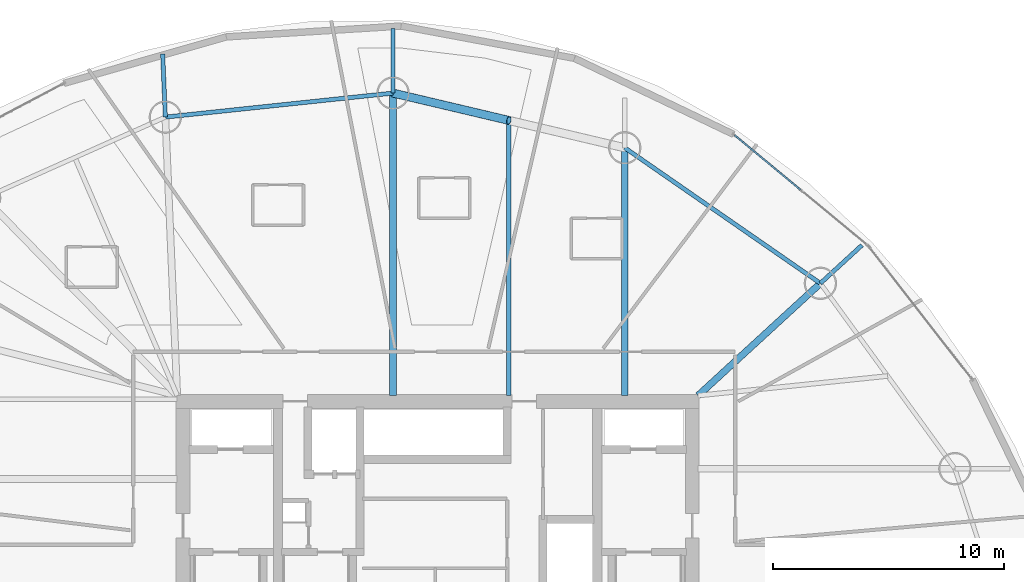
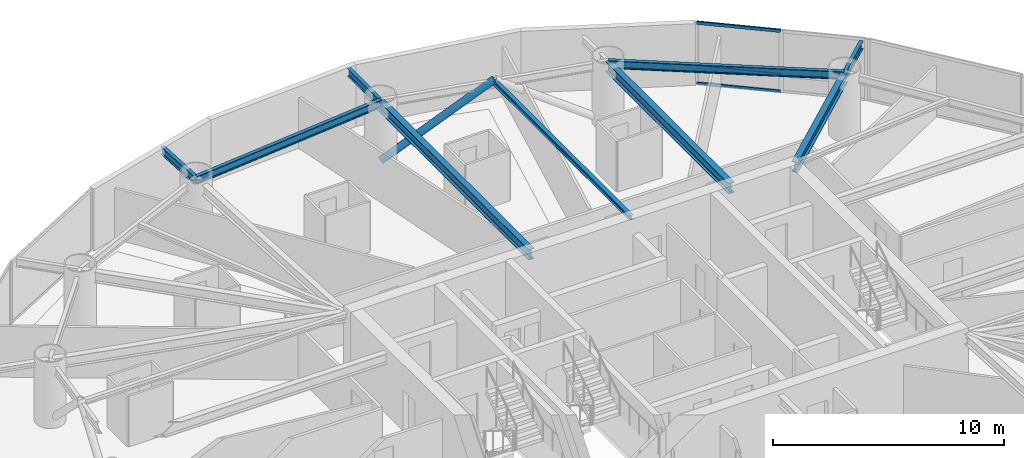
# One storey, part 10 of 20: 9 beams, 4 members, 1 element without a shape of its own.
"""IFC4 building model written with IfcOpenShell, lengths in metres."""

import ifcopenshell
import ifcopenshell.guid

model = None  # the IFC model being written
_history = None  # IfcOwnerHistory: only IFC2X3 demands one
_inside = {}  # id of a spatial element -> (the spatial element, [elements in it])
_under = {}  # id of a project, library or spatial element -> (it, [spatial elements below it])
_declared = {}  # id of a project -> (the project, [libraries it declares])
_typed = {}  # id of a type object -> (the type object, [elements of that type])
_made_of = {}  # id of a material, layer set ... -> (it, [elements and type objects made of it])


def new_model(schema):
    """Start an empty IFC model of exactly this schema.

    Asked for "IFC4X3", IfcOpenShell would pick the latest addendum, in which some entities
    have other attributes; the version numbers below select the first issue.
    IFC2X3 requires an IfcOwnerHistory on every rooted entity: one is made here for all.
    """
    global model, _history
    if schema == "IFC4X3":
        model = ifcopenshell.file(schema_version=(4, 3, 0, 0))
    else:
        model = ifcopenshell.file(schema=schema)
    _inside.clear()
    _under.clear()
    _declared.clear()
    _typed.clear()
    _made_of.clear()
    _history = None
    if model.schema == "IFC2X3":
        org = make("IfcOrganization", Name="unknown")
        user = make(
            "IfcPersonAndOrganization",
            ThePerson=make("IfcPerson", FamilyName="unknown"),
            TheOrganization=org,
        )
        app = make(
            "IfcApplication",
            ApplicationDeveloper=org,
            Version="unknown",
            ApplicationFullName="unknown",
            ApplicationIdentifier="unknown",
        )
        _history = make(
            "IfcOwnerHistory",
            OwningUser=user,
            OwningApplication=app,
            ChangeAction="ADDED",
            CreationDate=0,
        )
    return model


def make(cls, **values):
    """One entity of the class cls with the attributes given. An attribute that is None is left unset."""
    return model.create_entity(
        cls, **{name: value for name, value in values.items() if value is not None}
    )


def rooted(cls, **values):
    """An entity with a GlobalId (a new one), such as an element, a storey or a relation."""
    return make(cls, GlobalId=ifcopenshell.guid.new(), OwnerHistory=_history, **values)


def si_unit(unit_type, name, prefix=None):
    """IfcSIUnit, for example si_unit("LENGTHUNIT", "METRE", prefix="MILLI")."""
    return make("IfcSIUnit", UnitType=unit_type, Prefix=prefix, Name=name)


def assignment(units):
    """IfcUnitAssignment: the units of a project."""
    return None if units is None else make("IfcUnitAssignment", Units=units)


def point(xyz):
    """IfcCartesianPoint."""
    return None if xyz is None else make("IfcCartesianPoint", Coordinates=xyz)


def direction(xyz):
    """IfcDirection."""
    return None if xyz is None else make("IfcDirection", DirectionRatios=xyz)


def frame(location, z_axis=None, x_axis=None):
    """IfcAxis2Placement3D, a coordinate frame: its origin and axes. An axis left out is left unset."""
    return make(
        "IfcAxis2Placement3D",
        Location=point(location),
        Axis=direction(z_axis),
        RefDirection=direction(x_axis),
    )


def frame_2d(location, x_axis=None):
    """IfcAxis2Placement2D, a coordinate frame in the plane: its origin and x axis."""
    return make(
        "IfcAxis2Placement2D", Location=point(location), RefDirection=direction(x_axis)
    )


def origin():
    """The frame at (0, 0, 0) with its axes left unset."""
    return frame((0.0, 0.0, 0.0))


def origin_2d():
    """The frame at (0, 0) in the plane with its x axis left unset."""
    return frame_2d((0.0, 0.0))


def place(relative_to, where):
    """IfcLocalPlacement: puts the frame where relative to a parent placement (None: the world)."""
    return make(
        "IfcLocalPlacement", PlacementRelTo=relative_to, RelativePlacement=where
    )


def context(
    kind, dimensions, precision=None, world=None, true_north=None, identifier=None
):
    """IfcGeometricRepresentationContext, for example the 3D "Model" context."""
    return make(
        "IfcGeometricRepresentationContext",
        ContextIdentifier=identifier,
        ContextType=kind,
        CoordinateSpaceDimension=dimensions,
        Precision=precision,
        WorldCoordinateSystem=world,
        TrueNorth=true_north,
    )


def subcontext(parent, identifier, kind, view, scale=None):
    """IfcGeometricRepresentationSubContext, for example "Body" below "Model"."""
    return make(
        "IfcGeometricRepresentationSubContext",
        ContextIdentifier=identifier,
        ContextType=kind,
        ParentContext=parent,
        TargetScale=scale,
        TargetView=view,
    )


def project(units=None, contexts=None):
    """IfcProject with its units and contexts."""
    return rooted(
        "IfcProject",
        Name="project",
        RepresentationContexts=contexts,
        UnitsInContext=assignment(units),
    )


def spatial(cls, under=None, at=None, **own):
    """A site, building, storey or space (cls), placed at a placement, below another one or the project."""
    s = rooted(cls, ObjectPlacement=at, **own)
    if under is not None:
        _under.setdefault(under.id(), (under, []))[1].append(s)
    return s


def profile(cls, at=None, kind="AREA", **sizes):
    """A parametric profile (cls). Its sizes go by their IFC names, for example OverallWidth=200.0."""
    return make(cls, ProfileType=kind, Position=at, **sizes)


def hollow_rectangle(**sizes):
    """IfcRectangleHollowProfileDef."""
    return profile("IfcRectangleHollowProfileDef", **sizes)


def hollow_circle(**sizes):
    """IfcCircleHollowProfileDef."""
    return profile("IfcCircleHollowProfileDef", **sizes)


def i_section(**sizes):
    """IfcIShapeProfileDef."""
    return profile("IfcIShapeProfileDef", **sizes)


def extrude(swept, where, along, depth):
    """IfcExtrudedAreaSolid: the profile swept, set in the frame where, extruded along a direction by depth."""
    return make(
        "IfcExtrudedAreaSolid",
        SweptArea=swept,
        Position=where,
        ExtrudedDirection=direction(along),
        Depth=depth,
    )


def shape(context_of_items, identifier, shape_type, items):
    """IfcShapeRepresentation: the items that make up one representation, for example the "Body"."""
    return make(
        "IfcShapeRepresentation",
        ContextOfItems=context_of_items,
        RepresentationIdentifier=identifier,
        RepresentationType=shape_type,
        Items=items,
    )


def material(Name=None, Category=None):
    """IfcMaterial."""
    return make("IfcMaterial", Name=Name, Category=Category)


def layer(
    of_material, thickness, ventilated=None, Name=None, Category=None, Priority=None
):
    """IfcMaterialLayer: one layer of a wall or slab, of a material (None: an air gap)."""
    return make(
        "IfcMaterialLayer",
        Material=of_material,
        LayerThickness=thickness,
        IsVentilated=ventilated,
        Name=Name,
        Category=Category,
        Priority=Priority,
    )


def layer_set(layers, Name=None):
    """IfcMaterialLayerSet."""
    return make("IfcMaterialLayerSet", MaterialLayers=layers, LayerSetName=Name)


def material_profile(
    of_material, cross_section, Name=None, Category=None, Priority=None
):
    """IfcMaterialProfile: a cross section and its material."""
    return make(
        "IfcMaterialProfile",
        Name=Name,
        Material=of_material,
        Profile=cross_section,
        Priority=Priority,
        Category=Category,
    )


def profile_set(profiles, Name=None, composite=None):
    """IfcMaterialProfileSet."""
    return make(
        "IfcMaterialProfileSet",
        Name=Name,
        MaterialProfiles=profiles,
        CompositeProfile=composite,
    )


def made_of(thing, what):
    """Note that an element or type object is made of a material, layer set ...; save() writes the relation."""
    if what is not None:
        _made_of.setdefault(what.id(), (what, []))[1].append(thing)
    return thing


def type_object(cls, material=None, **own):
    """A type object (cls), such as IfcWallType, which elements share."""
    return made_of(rooted(cls, **own), material)


def element(
    cls,
    number,
    at=None,
    inside=None,
    cuts=None,
    type_object=None,
    material=None,
    context=None,
    identifier="Body",
    shape_type=None,
    held_by="IfcProductDefinitionShape",
    body=None,
    shapes=None,
    **own,
):
    """One element of the class cls, such as IfcWall. Its Tag is "e" and its number.

    at: its placement. inside: the storey or other place that contains it. cuts: it is an
    opening in that element (IfcRelVoidsElement). A single representation is given by context,
    identifier, shape_type and body (its items); several are given by shapes. held_by: the class
    of the entity that holds the representations. save() writes the other relations.
    """
    e = rooted(cls, Tag="e%d" % number, ObjectPlacement=at, **own)
    if body is not None:
        shapes = [shape(context, identifier, shape_type, body)]
    if shapes is not None:
        e.Representation = make(held_by, Representations=shapes)
    if inside is not None:
        _inside.setdefault(inside.id(), (inside, []))[1].append(e)
    if cuts is not None:
        rooted(
            "IfcRelVoidsElement", RelatingBuildingElement=cuts, RelatedOpeningElement=e
        )
    if type_object is not None:
        _typed.setdefault(type_object.id(), (type_object, []))[1].append(e)
    return made_of(e, material)


def aggregate(whole, parts):
    """IfcRelAggregates: a whole, such as a stair, and the parts it consists of."""
    return rooted("IfcRelAggregates", RelatingObject=whole, RelatedObjects=parts)


def save(model, path):
    """Write the relations noted so far, then the file.

    IfcRelAggregates (storeys below a building ...), IfcRelContainedInSpatialStructure (elements
    in a storey), IfcRelDefinesByType, IfcRelAssociatesMaterial and IfcRelDeclares: one each for
    every whole, place, type object, material and project.
    """
    for whole, parts in _under.values():
        aggregate(whole, parts)
    for where, things in _inside.values():
        rooted(
            "IfcRelContainedInSpatialStructure",
            RelatedElements=things,
            RelatingStructure=where,
        )
    for kind, things in _typed.values():
        rooted("IfcRelDefinesByType", RelatedObjects=things, RelatingType=kind)
    for what, things in _made_of.values():
        rooted("IfcRelAssociatesMaterial", RelatedObjects=things, RelatingMaterial=what)
    for by, libraries in _declared.values():
        rooted("IfcRelDeclares", RelatingContext=by, RelatedDefinitions=libraries)
    model.write(path)


model = new_model("IFC4")

# Units and contexts
model_context = context("Model", 3, precision=1e-05, world=origin(), true_north=direction((0.0, 1.0)))
body_context = subcontext(model_context, "Body", "Model", "MODEL_VIEW")
ifc_project = project(units=[si_unit("LENGTHUNIT", "METRE"), si_unit("AREAUNIT", "SQUARE_METRE"), si_unit("VOLUMEUNIT", "CUBIC_METRE"), si_unit("PLANEANGLEUNIT", "RADIAN"), si_unit("MASSUNIT", "GRAM", prefix="KILO")], contexts=[model_context])

# Site, building, storey
site_placement = place(None, origin())
site = spatial("IfcSite", under=ifc_project, at=site_placement, CompositionType="ELEMENT")
building_placement = place(site_placement, origin())
building = spatial("IfcBuilding", under=site, at=building_placement, Name="Bramvorn Convention Spire", CompositionType="ELEMENT")
storey_placement = place(building_placement, frame((0.0, 0.0, 106.300048828125)))
storey = spatial("IfcBuildingStorey", under=building, at=storey_placement, Name="L25", CompositionType="ELEMENT", Elevation=106.300048828125)

# Beams
ifc_material_1 = material(Name="Steel CSA G40.21 Grade 350 (350W)", Category="steel")
ifc_material_profile_1 = material_profile(ifc_material_1, i_section(OverallWidth=0.201904296875, OverallDepth=0.2470703125, WebThickness=0.00732421875, FlangeThickness=0.010986328125, FilletRadius=0.011962890625, at=origin_2d()))
ifc_profile_set_1 = profile_set([ifc_material_profile_1], Name="Steel CSA G40.21 Grade 350 (350W) - W250X49")
beam_type_1 = type_object("IfcBeamType", Name="BM-W250X49", PredefinedType="JOIST", material=ifc_profile_set_1)
beam_1_placement = place(storey_placement, frame((41.079345703125, 33.449951171875, 3.136474609375), z_axis=(0.0, 1.0, 0.0), x_axis=(-1.0, 0.0, 0.0)))
element("IfcBeam", 1, at=beam_1_placement, inside=storey, type_object=beam_type_1, Name="L25 composite floor joist 05", PredefinedType="JOIST", context=body_context, shape_type="SweptSolid", body=[
    extrude(i_section(OverallWidth=0.201904296875, OverallDepth=0.2470703125, WebThickness=0.00732421875, FlangeThickness=0.010986328125, FilletRadius=0.011962890625, at=origin_2d()), origin(), (0.0, 0.0, 1.0), 11.8857421875),
])
ifc_material_profile_2 = material_profile(ifc_material_1, i_section(OverallWidth=0.180908203125, OverallDepth=0.4169921875, WebThickness=0.010986328125, FlangeThickness=0.018310546875, FilletRadius=0.01611328125, at=origin_2d()))
ifc_profile_set_2 = profile_set([ifc_material_profile_2], Name="Steel CSA G40.21 Grade 350 (350W) - W410X85")
beam_type_2 = type_object("IfcBeamType", Name="BM-W410X85", PredefinedType="JOIST", material=ifc_profile_set_2)
beam_2_placement = place(storey_placement, frame((54.534912109375, 38.299072265625, 3.0263671875), z_axis=(0.736817677427, 0.676091495458, 0.0), x_axis=(-0.676091495458, 0.736817677427, 0.0)))
element("IfcBeam", 2, at=beam_2_placement, inside=storey, type_object=beam_type_2, Name="L25 Sky-Garden cantilever tip girder MC04", PredefinedType="JOIST", context=body_context, shape_type="SweptSolid", body=[
    extrude(i_section(OverallWidth=0.180908203125, OverallDepth=0.4169921875, WebThickness=0.010986328125, FlangeThickness=0.018310546875, FilletRadius=0.01611328125, at=origin_2d()), origin(), (0.0, 0.0, 1.0), 2.4404296875),
])
beam_3_placement = place(storey_placement, frame((54.534912109375, 38.299072265625, 3.051513671875), z_axis=(-0.822033166673, 0.569439613032, 0.0), x_axis=(-0.569439613032, -0.822033166673, 0.0)))
element("IfcBeam", 3, at=beam_3_placement, inside=storey, type_object=beam_type_2, Name="L25 mega-column ring beam 04", PredefinedType="JOIST", context=body_context, shape_type="SweptSolid", body=[
    extrude(i_section(OverallWidth=0.180908203125, OverallDepth=0.4169921875, WebThickness=0.010986328125, FlangeThickness=0.018310546875, FilletRadius=0.01611328125, at=origin_2d()), origin(), (0.0, 0.0, 1.0), 10.281982421875),
])
beam_4_placement = place(storey_placement, frame((36.075927734375, 46.517333984375, 3.0263671875), z_axis=(0.0, 1.0, 0.0), x_axis=(-1.0, 0.0, 0.0)))
element("IfcBeam", 4, at=beam_4_placement, inside=storey, type_object=beam_type_2, Name="L25 Sky-Garden cantilever tip girder MC06", PredefinedType="JOIST", context=body_context, shape_type="SweptSolid", body=[
    extrude(i_section(OverallWidth=0.180908203125, OverallDepth=0.4169921875, WebThickness=0.010986328125, FlangeThickness=0.018310546875, FilletRadius=0.01611328125, at=origin_2d()), origin(), (0.0, 0.0, 1.0), 2.780517578125),
])
beam_5_placement = place(storey_placement, frame((36.075927734375, 46.517333984375, 3.051513671875), z_axis=(-0.994473491975, -0.104987969596, 0.0), x_axis=(0.104987969596, -0.994473491975, 0.0)))
element("IfcBeam", 5, at=beam_5_placement, inside=storey, type_object=beam_type_2, Name="L25 mega-column ring beam 06", PredefinedType="JOIST", context=body_context, shape_type="SweptSolid", body=[
    extrude(i_section(OverallWidth=0.180908203125, OverallDepth=0.4169921875, WebThickness=0.010986328125, FlangeThickness=0.018310546875, FilletRadius=0.01611328125, at=origin_2d()), origin(), (0.0, 0.0, 1.0), 9.892333984375),
])
beam_6_placement = place(storey_placement, frame((26.23828125, 45.478759765625, 3.0263671875), z_axis=(-0.042541290075, 0.999094709544, 0.0), x_axis=(-0.999094709544, -0.042541290075, 0.0)))
element("IfcBeam", 6, at=beam_6_placement, inside=storey, type_object=beam_type_2, Name="L25 Sky-Garden cantilever tip girder MC07", PredefinedType="JOIST", context=body_context, shape_type="SweptSolid", body=[
    extrude(i_section(OverallWidth=0.180908203125, OverallDepth=0.4169921875, WebThickness=0.010986328125, FlangeThickness=0.018310546875, FilletRadius=0.01611328125, at=origin_2d()), origin(), (0.0, 0.0, 1.0), 2.731689453125),
])
ifc_material_profile_3 = material_profile(ifc_material_1, i_section(OverallWidth=0.2919921875, OverallDepth=0.551025390625, WebThickness=0.01513671875, FlangeThickness=0.0244140625, FilletRadius=0.01904296875, at=origin_2d()))
ifc_profile_set_3 = profile_set([ifc_material_profile_3], Name="Steel CSA G40.21 Grade 350 (350W) - W530X182")
beam_type_3 = type_object("IfcBeamType", Name="BM-W530X182", PredefinedType="BEAM", material=ifc_profile_set_3)
beam_7_placement = place(storey_placement, frame((49.25, 33.449951171875, 2.95947265625), z_axis=(0.736833323746, 0.676074443399, 0.0), x_axis=(-0.676074443399, 0.736833323746, 0.0)))
element("IfcBeam", 7, at=beam_7_placement, inside=storey, type_object=beam_type_3, Name="L25 Sky-Garden back-span radial girder MC04", PredefinedType="BEAM", context=body_context, shape_type="SweptSolid", body=[
    extrude(i_section(OverallWidth=0.2919921875, OverallDepth=0.551025390625, WebThickness=0.01513671875, FlangeThickness=0.0244140625, FilletRadius=0.01904296875, at=origin_2d()), origin(), (0.0, 0.0, 1.0), 7.17236328125),
])
beam_8_placement = place(storey_placement, frame((46.082763671875, 33.449951171875, 2.95947265625), z_axis=(0.0, 1.0, 0.0), x_axis=(-1.0, 0.0, 0.0)))
element("IfcBeam", 8, at=beam_8_placement, inside=storey, type_object=beam_type_3, Name="L25 Sky-Garden back-span radial girder MC05", PredefinedType="BEAM", context=body_context, shape_type="SweptSolid", body=[
    extrude(i_section(OverallWidth=0.2919921875, OverallDepth=0.551025390625, WebThickness=0.01513671875, FlangeThickness=0.0244140625, FilletRadius=0.01904296875, at=origin_2d()), origin(), (0.0, 0.0, 1.0), 10.7041015625),
])
beam_9_placement = place(storey_placement, frame((36.075927734375, 33.449951171875, 2.95947265625), z_axis=(0.0, 1.0, 0.0), x_axis=(-1.0, 0.0, 0.0)))
element("IfcBeam", 9, at=beam_9_placement, inside=storey, type_object=beam_type_3, Name="L25 Sky-Garden back-span radial girder MC06", PredefinedType="BEAM", context=body_context, shape_type="SweptSolid", body=[
    extrude(i_section(OverallWidth=0.2919921875, OverallDepth=0.551025390625, WebThickness=0.01513671875, FlangeThickness=0.0244140625, FilletRadius=0.01904296875, at=origin_2d()), origin(), (0.0, 0.0, 1.0), 13.0673828125),
])

# Curtain wall, members
ifc_material_2 = material(Name="Anodised Bronze Unitised Curtain Wall", Category="aluminium")
ifc_layer = layer(ifc_material_2, 0.179931640625)
ifc_layer_set = layer_set([ifc_layer], Name="Anodised Bronze Unitised Curtain Wall - CW-HTL-FRIT")
curtain_wall_type = type_object("IfcCurtainWallType", Name="CW-HTL-FRIT", PredefinedType="USERDEFINED", material=ifc_layer_set)
curtain_wall_placement = place(storey_placement, origin())
curtain_wall = element("IfcCurtainWall", 10, at=curtain_wall_placement, inside=storey, type_object=curtain_wall_type, Name="L25 fritted glass curtain wall 05", ObjectType="UNITISED CURTAIN WALL", PredefinedType="USERDEFINED")
ifc_material_3 = material(Name="Anodised Bronze Aluminium 6063-T6", Category="aluminium")
ifc_material_profile_4 = material_profile(ifc_material_3, hollow_rectangle(XDim=0.080078125, YDim=0.159912109375, WallThickness=0.00390625, InnerFilletRadius=0.0009765625, OuterFilletRadius=0.00390625, at=origin_2d()))
ifc_profile_set_4 = profile_set([ifc_material_profile_4], Name="Anodised Bronze Aluminium 6063-T6 - CWT80X160")
member_type_1 = type_object("IfcMemberType", Name="CW-TRN-150", PredefinedType="USERDEFINED", material=ifc_profile_set_4)
member_1_placement = place(storey_placement, frame((50.83203125, 44.6943359375, 0.030029296875), z_axis=(0.769973325488, -0.63807607543, 0.0), x_axis=(0.63807607543, 0.769973325488, 0.0)))
member_1 = element("IfcMember", 11, at=member_1_placement, type_object=member_type_1, Name="CW2 transom 1.1", ObjectType="TRANSOM", PredefinedType="USERDEFINED", context=body_context, shape_type="SweptSolid", body=[
    extrude(hollow_rectangle(XDim=0.080078125, YDim=0.159912109375, WallThickness=0.00390625, InnerFilletRadius=0.0009765625, OuterFilletRadius=0.00390625, at=origin_2d()), origin(), (0.0, 0.0, 1.0), 3.694580078125),
])
member_2_placement = place(storey_placement, frame((50.83203125, 44.6943359375, 0.89990234375), z_axis=(0.769973325488, -0.63807607543, 0.0), x_axis=(0.63807607543, 0.769973325488, 0.0)))
member_2 = element("IfcMember", 12, at=member_2_placement, type_object=member_type_1, Name="CW2 transom 1.2", ObjectType="TRANSOM", PredefinedType="USERDEFINED", context=body_context, shape_type="SweptSolid", body=[
    extrude(hollow_rectangle(XDim=0.080078125, YDim=0.159912109375, WallThickness=0.00390625, InnerFilletRadius=0.0009765625, OuterFilletRadius=0.00390625, at=origin_2d()), origin(), (0.0, 0.0, 1.0), 3.694580078125),
])
member_3_placement = place(storey_placement, frame((50.83203125, 44.6943359375, 3.22998046875), z_axis=(0.769973325488, -0.63807607543, 0.0), x_axis=(0.63807607543, 0.769973325488, 0.0)))
member_3 = element("IfcMember", 13, at=member_3_placement, type_object=member_type_1, Name="CW2 transom 1.3", ObjectType="TRANSOM", PredefinedType="USERDEFINED", context=body_context, shape_type="SweptSolid", body=[
    extrude(hollow_rectangle(XDim=0.080078125, YDim=0.159912109375, WallThickness=0.00390625, InnerFilletRadius=0.0009765625, OuterFilletRadius=0.00390625, at=origin_2d()), origin(), (0.0, 0.0, 1.0), 3.694580078125),
])
aggregate(curtain_wall, [member_1, member_2, member_3])

# Member
ifc_material_profile_5 = material_profile(ifc_material_1, hollow_circle(Radius=0.177734375, WallThickness=0.015869140625, at=origin_2d()))
ifc_profile_set_5 = profile_set([ifc_material_profile_5], Name="Steel CSA G40.21 Grade 350 (350W) - CHS356X16")
member_type_2 = type_object("IfcMemberType", Name="MBR-CHS356X16", PredefinedType="BRACE", material=ifc_profile_set_5)
member_4_placement = place(storey_placement, frame((36.075927734375, 46.517333984375, 0.0), z_axis=(0.82191146009, -0.194108103193, 0.53552179792), x_axis=(0.229843911572, 0.97322750491, 0.0)))
element("IfcMember", 14, at=member_4_placement, inside=storey, type_object=member_type_2, Name="L25 perimeter Gothic lancet brace 5B", PredefinedType="BRACE", context=body_context, shape_type="SweptSolid", body=[
    extrude(hollow_circle(Radius=0.177734375, WallThickness=0.015869140625, at=origin_2d()), origin(), (0.0, 0.0, 1.0), 6.087646484375),
])

save(model, "model.ifc")
